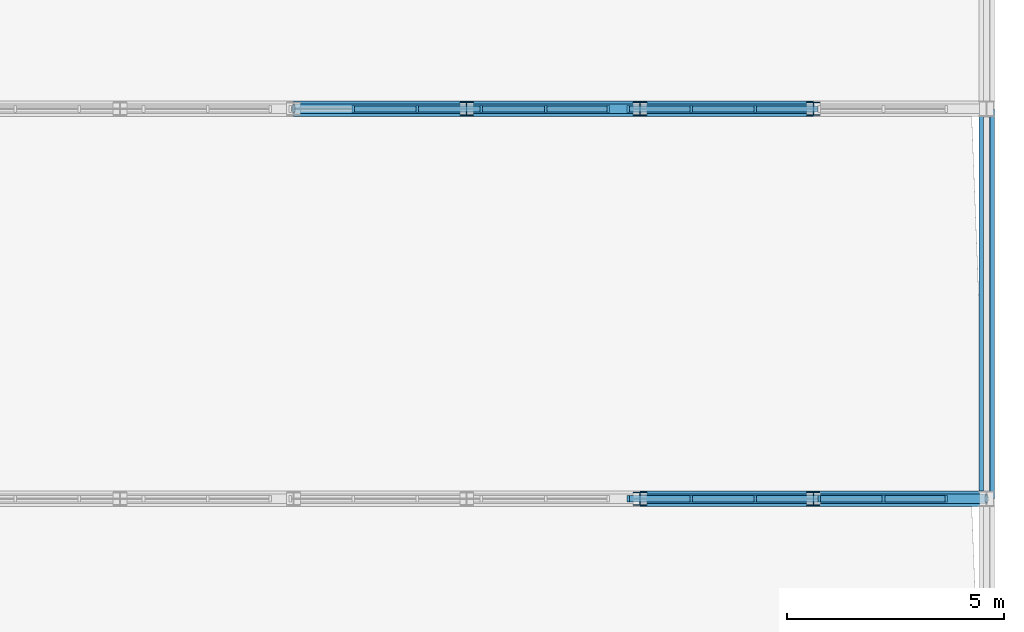
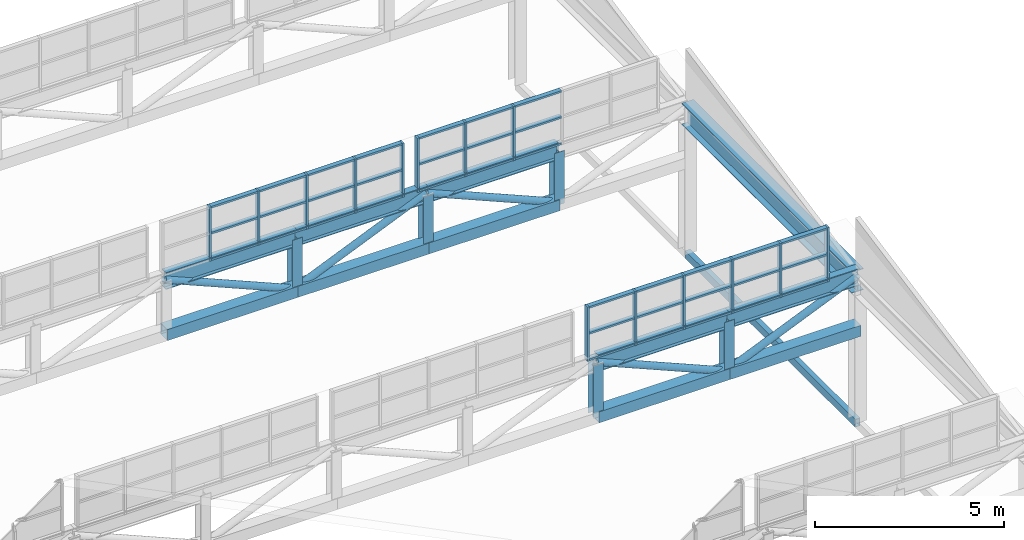
# One storey, part 91 of 159: 70 members, 2 beams, 3 elements without a shape of their own.
"""IFC4 building model written with IfcOpenShell, lengths in metres."""

from ifc_helpers import new_model, si_unit, direction, frame, origin, origin_2d, place, context, subcontext, project, spatial, rectangle, hollow_rectangle, hollow_circle, i_section, extrude, material, layer, layer_set, material_profile, profile_set, type_object, element, aggregate, save


model = new_model("IFC4")

# Units and contexts
model_context = context("Model", 3, precision=1e-05, world=origin(), true_north=direction((0.0, 1.0)))
body_context = subcontext(model_context, "Body", "Model", "MODEL_VIEW")
ifc_project = project(units=[si_unit("LENGTHUNIT", "METRE"), si_unit("AREAUNIT", "SQUARE_METRE"), si_unit("VOLUMEUNIT", "CUBIC_METRE"), si_unit("PLANEANGLEUNIT", "RADIAN"), si_unit("MASSUNIT", "GRAM", prefix="KILO")], contexts=[model_context])

# Site, building, storey
site_placement = place(None, origin())
site = spatial("IfcSite", under=ifc_project, at=site_placement, CompositionType="ELEMENT")
building_placement = place(site_placement, origin())
building = spatial("IfcBuilding", under=site, at=building_placement, Name="Cazmaro Siding Exhibition Halls", CompositionType="ELEMENT")
storey_placement = place(building_placement, frame((0.0, 0.0, 6.0)))
storey = spatial("IfcBuildingStorey", under=building, at=storey_placement, Name="L01", CompositionType="ELEMENT", Elevation=6.0)

# Curtain wall, members
ifc_material_1 = material(Name="Anodized Bronze Aluminum and Solar-Control Low-E Glazing", Category="aluminium")
ifc_layer = layer(ifc_material_1, 0.159912109375)
ifc_layer_set = layer_set([ifc_layer], Name="Anodized Bronze Aluminum and Solar-Control Low-E Glazing")
curtain_wall_type = type_object("IfcCurtainWallType", Name="CWS-04", PredefinedType="USERDEFINED", material=ifc_layer_set)
curtain_wall_1_placement = place(storey_placement, origin())
curtain_wall_1 = element("IfcCurtainWall", 1, at=curtain_wall_1_placement, inside=storey, type_object=curtain_wall_type, Name="Clerestory Curtain Wall CWS-04 CW-129", ObjectType="CLERESTORY CURTAIN WALL", PredefinedType="USERDEFINED")
ifc_material_2 = material(Name="Anodized Bronze Extruded Aluminum", Category="aluminium")
ifc_material_profile_1 = material_profile(ifc_material_2, rectangle(XDim=0.159912109375, YDim=0.06005859375, at=origin_2d()), Name="CWM-04")
ifc_profile_set_1 = profile_set([ifc_material_profile_1], Name="Anodized Bronze Extruded Aluminum")
member_type_1 = type_object("IfcMemberType", Name="CWM-04", PredefinedType="MULLION", material=ifc_profile_set_1)
member_1_placement = place(storey_placement, frame((215.070068359375, 100.0, 4.800048828125), z_axis=(0.0, 0.0, 1.0), x_axis=(0.0, -1.0, 0.0)))
member_1 = element("IfcMember", 2, at=member_1_placement, type_object=member_type_1, Name="CWS-04 mullion 1", PredefinedType="MULLION", context=body_context, shape_type="SweptSolid", body=[
    extrude(rectangle(XDim=0.159912109375, YDim=0.06005859375, at=origin_2d()), origin(), (0.0, 0.0, 1.0), 1.75),
])
member_2_placement = place(storey_placement, frame((213.6201171875, 100.0, 4.800048828125), z_axis=(0.0, 0.0, 1.0), x_axis=(0.0, -1.0, 0.0)))
member_2 = element("IfcMember", 3, at=member_2_placement, type_object=member_type_1, Name="CWS-04 mullion 2", PredefinedType="MULLION", context=body_context, shape_type="SweptSolid", body=[
    extrude(rectangle(XDim=0.159912109375, YDim=0.06005859375, at=origin_2d()), origin(), (0.0, 0.0, 1.0), 1.75),
])
member_3_placement = place(storey_placement, frame((212.139892578125, 100.0, 4.800048828125), z_axis=(0.0, 0.0, 1.0), x_axis=(0.0, -1.0, 0.0)))
member_3 = element("IfcMember", 4, at=member_3_placement, type_object=member_type_1, Name="CWS-04 mullion 3", PredefinedType="MULLION", context=body_context, shape_type="SweptSolid", body=[
    extrude(rectangle(XDim=0.159912109375, YDim=0.06005859375, at=origin_2d()), origin(), (0.0, 0.0, 1.0), 1.75),
])
member_4_placement = place(storey_placement, frame((210.659912109375, 100.0, 4.800048828125), z_axis=(0.0, 0.0, 1.0), x_axis=(0.0, -1.0, 0.0)))
member_4 = element("IfcMember", 5, at=member_4_placement, type_object=member_type_1, Name="CWS-04 mullion 4", PredefinedType="MULLION", context=body_context, shape_type="SweptSolid", body=[
    extrude(rectangle(XDim=0.159912109375, YDim=0.06005859375, at=origin_2d()), origin(), (0.0, 0.0, 1.0), 1.75),
])
member_5_placement = place(storey_placement, frame((209.179931640625, 100.0, 4.800048828125), z_axis=(0.0, 0.0, 1.0), x_axis=(0.0, -1.0, 0.0)))
member_5 = element("IfcMember", 6, at=member_5_placement, type_object=member_type_1, Name="CWS-04 mullion 5", PredefinedType="MULLION", context=body_context, shape_type="SweptSolid", body=[
    extrude(rectangle(XDim=0.159912109375, YDim=0.06005859375, at=origin_2d()), origin(), (0.0, 0.0, 1.0), 1.75),
])
member_6_placement = place(storey_placement, frame((207.72998046875, 100.0, 4.800048828125), z_axis=(0.0, 0.0, 1.0), x_axis=(0.0, -1.0, 0.0)))
member_6 = element("IfcMember", 7, at=member_6_placement, type_object=member_type_1, Name="CWS-04 mullion 6", PredefinedType="MULLION", context=body_context, shape_type="SweptSolid", body=[
    extrude(rectangle(XDim=0.159912109375, YDim=0.06005859375, at=origin_2d()), origin(), (0.0, 0.0, 1.0), 1.75),
])

curtain_wall_2_placement = place(storey_placement, origin())
curtain_wall_2 = element("IfcCurtainWall", 8, at=curtain_wall_2_placement, inside=storey, type_object=curtain_wall_type, Name="Clerestory Curtain Wall CWS-04 CW-133", ObjectType="CLERESTORY CURTAIN WALL", PredefinedType="USERDEFINED")
member_7_placement = place(storey_placement, frame((207.27001953125, 109.0, 4.800048828125), z_axis=(0.0, 0.0, 1.0), x_axis=(0.0, -1.0, 0.0)))
member_7 = element("IfcMember", 9, at=member_7_placement, type_object=member_type_1, Name="CWS-04 mullion 1", PredefinedType="MULLION", context=body_context, shape_type="SweptSolid", body=[
    extrude(rectangle(XDim=0.159912109375, YDim=0.06005859375, at=origin_2d()), origin(), (0.0, 0.0, 1.0), 1.75),
])
member_8_placement = place(storey_placement, frame((205.820068359375, 109.0, 4.800048828125), z_axis=(0.0, 0.0, 1.0), x_axis=(0.0, -1.0, 0.0)))
member_8 = element("IfcMember", 10, at=member_8_placement, type_object=member_type_1, Name="CWS-04 mullion 2", PredefinedType="MULLION", context=body_context, shape_type="SweptSolid", body=[
    extrude(rectangle(XDim=0.159912109375, YDim=0.06005859375, at=origin_2d()), origin(), (0.0, 0.0, 1.0), 1.75),
])
member_9_placement = place(storey_placement, frame((204.340087890625, 109.0, 4.800048828125), z_axis=(0.0, 0.0, 1.0), x_axis=(0.0, -1.0, 0.0)))
member_9 = element("IfcMember", 11, at=member_9_placement, type_object=member_type_1, Name="CWS-04 mullion 3", PredefinedType="MULLION", context=body_context, shape_type="SweptSolid", body=[
    extrude(rectangle(XDim=0.159912109375, YDim=0.06005859375, at=origin_2d()), origin(), (0.0, 0.0, 1.0), 1.75),
])
member_10_placement = place(storey_placement, frame((202.860107421875, 109.0, 4.800048828125), z_axis=(0.0, 0.0, 1.0), x_axis=(0.0, -1.0, 0.0)))
member_10 = element("IfcMember", 12, at=member_10_placement, type_object=member_type_1, Name="CWS-04 mullion 4", PredefinedType="MULLION", context=body_context, shape_type="SweptSolid", body=[
    extrude(rectangle(XDim=0.159912109375, YDim=0.06005859375, at=origin_2d()), origin(), (0.0, 0.0, 1.0), 1.75),
])
member_11_placement = place(storey_placement, frame((201.3798828125, 109.0, 4.800048828125), z_axis=(0.0, 0.0, 1.0), x_axis=(0.0, -1.0, 0.0)))
member_11 = element("IfcMember", 13, at=member_11_placement, type_object=member_type_1, Name="CWS-04 mullion 5", PredefinedType="MULLION", context=body_context, shape_type="SweptSolid", body=[
    extrude(rectangle(XDim=0.159912109375, YDim=0.06005859375, at=origin_2d()), origin(), (0.0, 0.0, 1.0), 1.75),
])

curtain_wall_3_placement = place(storey_placement, origin())
curtain_wall_3 = element("IfcCurtainWall", 14, at=curtain_wall_3_placement, inside=storey, type_object=curtain_wall_type, Name="Clerestory Curtain Wall CWS-04 CW-134", ObjectType="CLERESTORY CURTAIN WALL", PredefinedType="USERDEFINED")
member_12_placement = place(storey_placement, frame((210.659912109375, 109.0, 4.800048828125), z_axis=(0.0, 0.0, 1.0), x_axis=(0.0, -1.0, 0.0)))
member_12 = element("IfcMember", 15, at=member_12_placement, type_object=member_type_1, Name="CWS-04 mullion 4", PredefinedType="MULLION", context=body_context, shape_type="SweptSolid", body=[
    extrude(rectangle(XDim=0.159912109375, YDim=0.06005859375, at=origin_2d()), origin(), (0.0, 0.0, 1.0), 1.75),
])
member_13_placement = place(storey_placement, frame((209.179931640625, 109.0, 4.800048828125), z_axis=(0.0, 0.0, 1.0), x_axis=(0.0, -1.0, 0.0)))
member_13 = element("IfcMember", 16, at=member_13_placement, type_object=member_type_1, Name="CWS-04 mullion 5", PredefinedType="MULLION", context=body_context, shape_type="SweptSolid", body=[
    extrude(rectangle(XDim=0.159912109375, YDim=0.06005859375, at=origin_2d()), origin(), (0.0, 0.0, 1.0), 1.75),
])
member_14_placement = place(storey_placement, frame((207.72998046875, 109.0, 4.800048828125), z_axis=(0.0, 0.0, 1.0), x_axis=(0.0, -1.0, 0.0)))
member_14 = element("IfcMember", 17, at=member_14_placement, type_object=member_type_1, Name="CWS-04 mullion 6", PredefinedType="MULLION", context=body_context, shape_type="SweptSolid", body=[
    extrude(rectangle(XDim=0.159912109375, YDim=0.06005859375, at=origin_2d()), origin(), (0.0, 0.0, 1.0), 1.75),
])

# Member
ifc_material_3 = material(Name="Anodized Bronze Extruded Aluminum", Category="aluminium")
ifc_material_profile_2 = material_profile(ifc_material_3, rectangle(XDim=0.139892578125, YDim=0.06005859375, at=origin_2d()), Name="CWT-04")
ifc_profile_set_2 = profile_set([ifc_material_profile_2], Name="Anodized Bronze Extruded Aluminum")
member_type_2 = type_object("IfcMemberType", Name="CWT-04", PredefinedType="MULLION", material=ifc_profile_set_2)
member_15_placement = place(storey_placement, frame((215.0400390625, 100.0, 4.830078125), z_axis=(-1.0, 0.0, 0.0), x_axis=(0.0, -1.0, 0.0)))
member_15 = element("IfcMember", 18, at=member_15_placement, type_object=member_type_2, Name="CWS-04 transom 1.1", ObjectType="TRANSOM", PredefinedType="USERDEFINED", context=body_context, shape_type="SweptSolid", body=[
    extrude(rectangle(XDim=0.139892578125, YDim=0.06005859375, at=origin_2d()), origin(), (0.0, 0.0, 1.0), 1.39013671875),
])

member_16_placement = place(storey_placement, frame((215.0400390625, 100.0, 5.679931640625), z_axis=(-1.0, 0.0, 0.0), x_axis=(0.0, -1.0, 0.0)))
member_16 = element("IfcMember", 19, at=member_16_placement, type_object=member_type_2, Name="CWS-04 transom 1.2", ObjectType="TRANSOM", PredefinedType="USERDEFINED", context=body_context, shape_type="SweptSolid", body=[
    extrude(rectangle(XDim=0.139892578125, YDim=0.06005859375, at=origin_2d()), origin(), (0.0, 0.0, 1.0), 1.39013671875),
])

member_17_placement = place(storey_placement, frame((215.0400390625, 100.0, 6.52001953125), z_axis=(-1.0, 0.0, 0.0), x_axis=(0.0, -1.0, 0.0)))
member_17 = element("IfcMember", 20, at=member_17_placement, type_object=member_type_2, Name="CWS-04 transom 1.3", ObjectType="TRANSOM", PredefinedType="USERDEFINED", context=body_context, shape_type="SweptSolid", body=[
    extrude(rectangle(XDim=0.139892578125, YDim=0.06005859375, at=origin_2d()), origin(), (0.0, 0.0, 1.0), 1.39013671875),
])

member_18_placement = place(storey_placement, frame((213.590087890625, 100.0, 4.830078125), z_axis=(-1.0, 0.0, 0.0), x_axis=(0.0, -1.0, 0.0)))
member_18 = element("IfcMember", 21, at=member_18_placement, type_object=member_type_2, Name="CWS-04 transom 2.1", ObjectType="TRANSOM", PredefinedType="USERDEFINED", context=body_context, shape_type="SweptSolid", body=[
    extrude(rectangle(XDim=0.139892578125, YDim=0.06005859375, at=origin_2d()), origin(), (0.0, 0.0, 1.0), 1.420166015625),
])

member_19_placement = place(storey_placement, frame((213.590087890625, 100.0, 5.679931640625), z_axis=(-1.0, 0.0, 0.0), x_axis=(0.0, -1.0, 0.0)))
member_19 = element("IfcMember", 22, at=member_19_placement, type_object=member_type_2, Name="CWS-04 transom 2.2", ObjectType="TRANSOM", PredefinedType="USERDEFINED", context=body_context, shape_type="SweptSolid", body=[
    extrude(rectangle(XDim=0.139892578125, YDim=0.06005859375, at=origin_2d()), origin(), (0.0, 0.0, 1.0), 1.420166015625),
])

member_20_placement = place(storey_placement, frame((213.590087890625, 100.0, 6.52001953125), z_axis=(-1.0, 0.0, 0.0), x_axis=(0.0, -1.0, 0.0)))
member_20 = element("IfcMember", 23, at=member_20_placement, type_object=member_type_2, Name="CWS-04 transom 2.3", ObjectType="TRANSOM", PredefinedType="USERDEFINED", context=body_context, shape_type="SweptSolid", body=[
    extrude(rectangle(XDim=0.139892578125, YDim=0.06005859375, at=origin_2d()), origin(), (0.0, 0.0, 1.0), 1.420166015625),
])

member_21_placement = place(storey_placement, frame((212.110107421875, 100.0, 4.830078125), z_axis=(-1.0, 0.0, 0.0), x_axis=(0.0, -1.0, 0.0)))
member_21 = element("IfcMember", 24, at=member_21_placement, type_object=member_type_2, Name="CWS-04 transom 3.1", ObjectType="TRANSOM", PredefinedType="USERDEFINED", context=body_context, shape_type="SweptSolid", body=[
    extrude(rectangle(XDim=0.139892578125, YDim=0.06005859375, at=origin_2d()), origin(), (0.0, 0.0, 1.0), 1.420166015625),
])

member_22_placement = place(storey_placement, frame((212.110107421875, 100.0, 5.679931640625), z_axis=(-1.0, 0.0, 0.0), x_axis=(0.0, -1.0, 0.0)))
member_22 = element("IfcMember", 25, at=member_22_placement, type_object=member_type_2, Name="CWS-04 transom 3.2", ObjectType="TRANSOM", PredefinedType="USERDEFINED", context=body_context, shape_type="SweptSolid", body=[
    extrude(rectangle(XDim=0.139892578125, YDim=0.06005859375, at=origin_2d()), origin(), (0.0, 0.0, 1.0), 1.420166015625),
])

member_23_placement = place(storey_placement, frame((212.110107421875, 100.0, 6.52001953125), z_axis=(-1.0, 0.0, 0.0), x_axis=(0.0, -1.0, 0.0)))
member_23 = element("IfcMember", 26, at=member_23_placement, type_object=member_type_2, Name="CWS-04 transom 3.3", ObjectType="TRANSOM", PredefinedType="USERDEFINED", context=body_context, shape_type="SweptSolid", body=[
    extrude(rectangle(XDim=0.139892578125, YDim=0.06005859375, at=origin_2d()), origin(), (0.0, 0.0, 1.0), 1.420166015625),
])

member_24_placement = place(storey_placement, frame((210.6298828125, 100.0, 4.830078125), z_axis=(-1.0, 0.0, 0.0), x_axis=(0.0, -1.0, 0.0)))
member_24 = element("IfcMember", 27, at=member_24_placement, type_object=member_type_2, Name="CWS-04 transom 4.1", ObjectType="TRANSOM", PredefinedType="USERDEFINED", context=body_context, shape_type="SweptSolid", body=[
    extrude(rectangle(XDim=0.139892578125, YDim=0.06005859375, at=origin_2d()), origin(), (0.0, 0.0, 1.0), 1.419921875),
])

member_25_placement = place(storey_placement, frame((210.6298828125, 100.0, 5.679931640625), z_axis=(-1.0, 0.0, 0.0), x_axis=(0.0, -1.0, 0.0)))
member_25 = element("IfcMember", 28, at=member_25_placement, type_object=member_type_2, Name="CWS-04 transom 4.2", ObjectType="TRANSOM", PredefinedType="USERDEFINED", context=body_context, shape_type="SweptSolid", body=[
    extrude(rectangle(XDim=0.139892578125, YDim=0.06005859375, at=origin_2d()), origin(), (0.0, 0.0, 1.0), 1.419921875),
])

member_26_placement = place(storey_placement, frame((210.6298828125, 100.0, 6.52001953125), z_axis=(-1.0, 0.0, 0.0), x_axis=(0.0, -1.0, 0.0)))
member_26 = element("IfcMember", 29, at=member_26_placement, type_object=member_type_2, Name="CWS-04 transom 4.3", ObjectType="TRANSOM", PredefinedType="USERDEFINED", context=body_context, shape_type="SweptSolid", body=[
    extrude(rectangle(XDim=0.139892578125, YDim=0.06005859375, at=origin_2d()), origin(), (0.0, 0.0, 1.0), 1.419921875),
])

member_27_placement = place(storey_placement, frame((209.14990234375, 100.0, 4.830078125), z_axis=(-1.0, 0.0, 0.0), x_axis=(0.0, -1.0, 0.0)))
member_27 = element("IfcMember", 30, at=member_27_placement, type_object=member_type_2, Name="CWS-04 transom 5.1", ObjectType="TRANSOM", PredefinedType="USERDEFINED", context=body_context, shape_type="SweptSolid", body=[
    extrude(rectangle(XDim=0.139892578125, YDim=0.06005859375, at=origin_2d()), origin(), (0.0, 0.0, 1.0), 1.389892578125),
])

member_28_placement = place(storey_placement, frame((209.14990234375, 100.0, 5.679931640625), z_axis=(-1.0, 0.0, 0.0), x_axis=(0.0, -1.0, 0.0)))
member_28 = element("IfcMember", 31, at=member_28_placement, type_object=member_type_2, Name="CWS-04 transom 5.2", ObjectType="TRANSOM", PredefinedType="USERDEFINED", context=body_context, shape_type="SweptSolid", body=[
    extrude(rectangle(XDim=0.139892578125, YDim=0.06005859375, at=origin_2d()), origin(), (0.0, 0.0, 1.0), 1.389892578125),
])

member_29_placement = place(storey_placement, frame((209.14990234375, 100.0, 6.52001953125), z_axis=(-1.0, 0.0, 0.0), x_axis=(0.0, -1.0, 0.0)))
member_29 = element("IfcMember", 32, at=member_29_placement, type_object=member_type_2, Name="CWS-04 transom 5.3", ObjectType="TRANSOM", PredefinedType="USERDEFINED", context=body_context, shape_type="SweptSolid", body=[
    extrude(rectangle(XDim=0.139892578125, YDim=0.06005859375, at=origin_2d()), origin(), (0.0, 0.0, 1.0), 1.389892578125),
])

aggregate(curtain_wall_1, [member_1, member_2, member_3, member_4, member_5, member_6, member_15, member_16, member_17, member_18, member_19, member_20, member_21, member_22, member_23, member_24, member_25, member_26, member_27, member_28, member_29])

member_30_placement = place(storey_placement, frame((207.239990234375, 109.0, 4.830078125), z_axis=(-1.0, 0.0, 0.0), x_axis=(0.0, -1.0, 0.0)))
member_30 = element("IfcMember", 33, at=member_30_placement, type_object=member_type_2, Name="CWS-04 transom 1.1", ObjectType="TRANSOM", PredefinedType="USERDEFINED", context=body_context, shape_type="SweptSolid", body=[
    extrude(rectangle(XDim=0.139892578125, YDim=0.06005859375, at=origin_2d()), origin(), (0.0, 0.0, 1.0), 1.389892578125),
])

member_31_placement = place(storey_placement, frame((207.239990234375, 109.0, 5.679931640625), z_axis=(-1.0, 0.0, 0.0), x_axis=(0.0, -1.0, 0.0)))
member_31 = element("IfcMember", 34, at=member_31_placement, type_object=member_type_2, Name="CWS-04 transom 1.2", ObjectType="TRANSOM", PredefinedType="USERDEFINED", context=body_context, shape_type="SweptSolid", body=[
    extrude(rectangle(XDim=0.139892578125, YDim=0.06005859375, at=origin_2d()), origin(), (0.0, 0.0, 1.0), 1.389892578125),
])

member_32_placement = place(storey_placement, frame((207.239990234375, 109.0, 6.52001953125), z_axis=(-1.0, 0.0, 0.0), x_axis=(0.0, -1.0, 0.0)))
member_32 = element("IfcMember", 35, at=member_32_placement, type_object=member_type_2, Name="CWS-04 transom 1.3", ObjectType="TRANSOM", PredefinedType="USERDEFINED", context=body_context, shape_type="SweptSolid", body=[
    extrude(rectangle(XDim=0.139892578125, YDim=0.06005859375, at=origin_2d()), origin(), (0.0, 0.0, 1.0), 1.389892578125),
])

member_33_placement = place(storey_placement, frame((205.7900390625, 109.0, 4.830078125), z_axis=(-1.0, 0.0, 0.0), x_axis=(0.0, -1.0, 0.0)))
member_33 = element("IfcMember", 36, at=member_33_placement, type_object=member_type_2, Name="CWS-04 transom 2.1", ObjectType="TRANSOM", PredefinedType="USERDEFINED", context=body_context, shape_type="SweptSolid", body=[
    extrude(rectangle(XDim=0.139892578125, YDim=0.06005859375, at=origin_2d()), origin(), (0.0, 0.0, 1.0), 1.419921875),
])

member_34_placement = place(storey_placement, frame((205.7900390625, 109.0, 5.679931640625), z_axis=(-1.0, 0.0, 0.0), x_axis=(0.0, -1.0, 0.0)))
member_34 = element("IfcMember", 37, at=member_34_placement, type_object=member_type_2, Name="CWS-04 transom 2.2", ObjectType="TRANSOM", PredefinedType="USERDEFINED", context=body_context, shape_type="SweptSolid", body=[
    extrude(rectangle(XDim=0.139892578125, YDim=0.06005859375, at=origin_2d()), origin(), (0.0, 0.0, 1.0), 1.419921875),
])

member_35_placement = place(storey_placement, frame((205.7900390625, 109.0, 6.52001953125), z_axis=(-1.0, 0.0, 0.0), x_axis=(0.0, -1.0, 0.0)))
member_35 = element("IfcMember", 38, at=member_35_placement, type_object=member_type_2, Name="CWS-04 transom 2.3", ObjectType="TRANSOM", PredefinedType="USERDEFINED", context=body_context, shape_type="SweptSolid", body=[
    extrude(rectangle(XDim=0.139892578125, YDim=0.06005859375, at=origin_2d()), origin(), (0.0, 0.0, 1.0), 1.419921875),
])

member_36_placement = place(storey_placement, frame((204.31005859375, 109.0, 4.830078125), z_axis=(-1.0, 0.0, 0.0), x_axis=(0.0, -1.0, 0.0)))
member_36 = element("IfcMember", 39, at=member_36_placement, type_object=member_type_2, Name="CWS-04 transom 3.1", ObjectType="TRANSOM", PredefinedType="USERDEFINED", context=body_context, shape_type="SweptSolid", body=[
    extrude(rectangle(XDim=0.139892578125, YDim=0.06005859375, at=origin_2d()), origin(), (0.0, 0.0, 1.0), 1.420166015625),
])

member_37_placement = place(storey_placement, frame((204.31005859375, 109.0, 5.679931640625), z_axis=(-1.0, 0.0, 0.0), x_axis=(0.0, -1.0, 0.0)))
member_37 = element("IfcMember", 40, at=member_37_placement, type_object=member_type_2, Name="CWS-04 transom 3.2", ObjectType="TRANSOM", PredefinedType="USERDEFINED", context=body_context, shape_type="SweptSolid", body=[
    extrude(rectangle(XDim=0.139892578125, YDim=0.06005859375, at=origin_2d()), origin(), (0.0, 0.0, 1.0), 1.420166015625),
])

member_38_placement = place(storey_placement, frame((204.31005859375, 109.0, 6.52001953125), z_axis=(-1.0, 0.0, 0.0), x_axis=(0.0, -1.0, 0.0)))
member_38 = element("IfcMember", 41, at=member_38_placement, type_object=member_type_2, Name="CWS-04 transom 3.3", ObjectType="TRANSOM", PredefinedType="USERDEFINED", context=body_context, shape_type="SweptSolid", body=[
    extrude(rectangle(XDim=0.139892578125, YDim=0.06005859375, at=origin_2d()), origin(), (0.0, 0.0, 1.0), 1.420166015625),
])

member_39_placement = place(storey_placement, frame((202.830078125, 109.0, 4.830078125), z_axis=(-1.0, 0.0, 0.0), x_axis=(0.0, -1.0, 0.0)))
member_39 = element("IfcMember", 42, at=member_39_placement, type_object=member_type_2, Name="CWS-04 transom 4.1", ObjectType="TRANSOM", PredefinedType="USERDEFINED", context=body_context, shape_type="SweptSolid", body=[
    extrude(rectangle(XDim=0.139892578125, YDim=0.06005859375, at=origin_2d()), origin(), (0.0, 0.0, 1.0), 1.420166015625),
])

member_40_placement = place(storey_placement, frame((202.830078125, 109.0, 5.679931640625), z_axis=(-1.0, 0.0, 0.0), x_axis=(0.0, -1.0, 0.0)))
member_40 = element("IfcMember", 43, at=member_40_placement, type_object=member_type_2, Name="CWS-04 transom 4.2", ObjectType="TRANSOM", PredefinedType="USERDEFINED", context=body_context, shape_type="SweptSolid", body=[
    extrude(rectangle(XDim=0.139892578125, YDim=0.06005859375, at=origin_2d()), origin(), (0.0, 0.0, 1.0), 1.420166015625),
])

member_41_placement = place(storey_placement, frame((202.830078125, 109.0, 6.52001953125), z_axis=(-1.0, 0.0, 0.0), x_axis=(0.0, -1.0, 0.0)))
member_41 = element("IfcMember", 44, at=member_41_placement, type_object=member_type_2, Name="CWS-04 transom 4.3", ObjectType="TRANSOM", PredefinedType="USERDEFINED", context=body_context, shape_type="SweptSolid", body=[
    extrude(rectangle(XDim=0.139892578125, YDim=0.06005859375, at=origin_2d()), origin(), (0.0, 0.0, 1.0), 1.420166015625),
])

aggregate(curtain_wall_2, [member_7, member_8, member_9, member_10, member_11, member_30, member_31, member_32, member_33, member_34, member_35, member_36, member_37, member_38, member_39, member_40, member_41])

member_42_placement = place(storey_placement, frame((212.110107421875, 109.0, 4.830078125), z_axis=(-1.0, 0.0, 0.0), x_axis=(0.0, -1.0, 0.0)))
member_42 = element("IfcMember", 45, at=member_42_placement, type_object=member_type_2, Name="CWS-04 transom 3.1", ObjectType="TRANSOM", PredefinedType="USERDEFINED", context=body_context, shape_type="SweptSolid", body=[
    extrude(rectangle(XDim=0.139892578125, YDim=0.06005859375, at=origin_2d()), origin(), (0.0, 0.0, 1.0), 1.420166015625),
])

member_43_placement = place(storey_placement, frame((212.110107421875, 109.0, 5.679931640625), z_axis=(-1.0, 0.0, 0.0), x_axis=(0.0, -1.0, 0.0)))
member_43 = element("IfcMember", 46, at=member_43_placement, type_object=member_type_2, Name="CWS-04 transom 3.2", ObjectType="TRANSOM", PredefinedType="USERDEFINED", context=body_context, shape_type="SweptSolid", body=[
    extrude(rectangle(XDim=0.139892578125, YDim=0.06005859375, at=origin_2d()), origin(), (0.0, 0.0, 1.0), 1.420166015625),
])

member_44_placement = place(storey_placement, frame((212.110107421875, 109.0, 6.52001953125), z_axis=(-1.0, 0.0, 0.0), x_axis=(0.0, -1.0, 0.0)))
member_44 = element("IfcMember", 47, at=member_44_placement, type_object=member_type_2, Name="CWS-04 transom 3.3", ObjectType="TRANSOM", PredefinedType="USERDEFINED", context=body_context, shape_type="SweptSolid", body=[
    extrude(rectangle(XDim=0.139892578125, YDim=0.06005859375, at=origin_2d()), origin(), (0.0, 0.0, 1.0), 1.420166015625),
])

member_45_placement = place(storey_placement, frame((210.6298828125, 109.0, 4.830078125), z_axis=(-1.0, 0.0, 0.0), x_axis=(0.0, -1.0, 0.0)))
member_45 = element("IfcMember", 48, at=member_45_placement, type_object=member_type_2, Name="CWS-04 transom 4.1", ObjectType="TRANSOM", PredefinedType="USERDEFINED", context=body_context, shape_type="SweptSolid", body=[
    extrude(rectangle(XDim=0.139892578125, YDim=0.06005859375, at=origin_2d()), origin(), (0.0, 0.0, 1.0), 1.419921875),
])

member_46_placement = place(storey_placement, frame((210.6298828125, 109.0, 5.679931640625), z_axis=(-1.0, 0.0, 0.0), x_axis=(0.0, -1.0, 0.0)))
member_46 = element("IfcMember", 49, at=member_46_placement, type_object=member_type_2, Name="CWS-04 transom 4.2", ObjectType="TRANSOM", PredefinedType="USERDEFINED", context=body_context, shape_type="SweptSolid", body=[
    extrude(rectangle(XDim=0.139892578125, YDim=0.06005859375, at=origin_2d()), origin(), (0.0, 0.0, 1.0), 1.419921875),
])

member_47_placement = place(storey_placement, frame((210.6298828125, 109.0, 6.52001953125), z_axis=(-1.0, 0.0, 0.0), x_axis=(0.0, -1.0, 0.0)))
member_47 = element("IfcMember", 50, at=member_47_placement, type_object=member_type_2, Name="CWS-04 transom 4.3", ObjectType="TRANSOM", PredefinedType="USERDEFINED", context=body_context, shape_type="SweptSolid", body=[
    extrude(rectangle(XDim=0.139892578125, YDim=0.06005859375, at=origin_2d()), origin(), (0.0, 0.0, 1.0), 1.419921875),
])

member_48_placement = place(storey_placement, frame((209.14990234375, 109.0, 4.830078125), z_axis=(-1.0, 0.0, 0.0), x_axis=(0.0, -1.0, 0.0)))
member_48 = element("IfcMember", 51, at=member_48_placement, type_object=member_type_2, Name="CWS-04 transom 5.1", ObjectType="TRANSOM", PredefinedType="USERDEFINED", context=body_context, shape_type="SweptSolid", body=[
    extrude(rectangle(XDim=0.139892578125, YDim=0.06005859375, at=origin_2d()), origin(), (0.0, 0.0, 1.0), 1.389892578125),
])

member_49_placement = place(storey_placement, frame((209.14990234375, 109.0, 5.679931640625), z_axis=(-1.0, 0.0, 0.0), x_axis=(0.0, -1.0, 0.0)))
member_49 = element("IfcMember", 52, at=member_49_placement, type_object=member_type_2, Name="CWS-04 transom 5.2", ObjectType="TRANSOM", PredefinedType="USERDEFINED", context=body_context, shape_type="SweptSolid", body=[
    extrude(rectangle(XDim=0.139892578125, YDim=0.06005859375, at=origin_2d()), origin(), (0.0, 0.0, 1.0), 1.389892578125),
])

member_50_placement = place(storey_placement, frame((209.14990234375, 109.0, 6.52001953125), z_axis=(-1.0, 0.0, 0.0), x_axis=(0.0, -1.0, 0.0)))
member_50 = element("IfcMember", 53, at=member_50_placement, type_object=member_type_2, Name="CWS-04 transom 5.3", ObjectType="TRANSOM", PredefinedType="USERDEFINED", context=body_context, shape_type="SweptSolid", body=[
    extrude(rectangle(XDim=0.139892578125, YDim=0.06005859375, at=origin_2d()), origin(), (0.0, 0.0, 1.0), 1.389892578125),
])

aggregate(curtain_wall_3, [member_12, member_13, member_14, member_42, member_43, member_44, member_45, member_46, member_47, member_48, member_49, member_50])

# Beams
ifc_material_4 = material(Name="Steel ASTM A992 Grade 50", Category="steel")
ifc_material_profile_3 = material_profile(ifc_material_4, i_section(OverallWidth=0.35595703125, OverallDepth=0.696044921875, WebThickness=0.014892578125, FlangeThickness=0.02490234375, at=origin_2d()), Name="W27X146")
ifc_profile_set_3 = profile_set([ifc_material_profile_3], Name="Steel ASTM A992 Grade 50")
beam_type_1 = type_object("IfcBeamType", Name="G-05", PredefinedType="USERDEFINED", material=ifc_profile_set_3)
beam_1_placement = place(storey_placement, frame((216.0, 100.0, 4.451904296875), z_axis=(0.0, 1.0, 0.0), x_axis=(-1.0, 0.0, 0.0)))
element("IfcBeam", 54, at=beam_1_placement, inside=storey, type_object=beam_type_1, Name="Beam G-05 BM-1562", ObjectType="GIRDER", PredefinedType="USERDEFINED", context=body_context, shape_type="SweptSolid", body=[
    extrude(i_section(OverallWidth=0.35595703125, OverallDepth=0.696044921875, WebThickness=0.014892578125, FlangeThickness=0.02490234375, at=origin_2d()), origin(), (0.0, 0.0, 1.0), 9.0),
])
ifc_material_5 = material(Name="Steel ASTM A500 Grade C", Category="steel")
ifc_material_profile_4 = material_profile(ifc_material_5, hollow_rectangle(XDim=0.152099609375, YDim=0.25390625, WallThickness=0.011962890625, at=origin_2d()), Name="HSS10X6X1/2")
ifc_profile_set_4 = profile_set([ifc_material_profile_4], Name="Steel ASTM A500 Grade C")
beam_type_2 = type_object("IfcBeamType", Name="SP-02", PredefinedType="SPANDREL", material=ifc_profile_set_4)
beam_2_placement = place(storey_placement, frame((216.0, 100.0, -0.126953125), z_axis=(0.0, 1.0, 0.0), x_axis=(-1.0, 0.0, 0.0)))
element("IfcBeam", 55, at=beam_2_placement, inside=storey, type_object=beam_type_2, Name="Beam SP-02 BM-1561", PredefinedType="SPANDREL", context=body_context, shape_type="SweptSolid", body=[
    extrude(hollow_rectangle(XDim=0.152099609375, YDim=0.25390625, WallThickness=0.011962890625, at=origin_2d()), origin(), (0.0, 0.0, 1.0), 9.0),
])

# Members
ifc_material_6 = material(Name="Steel ASTM A992 Grade 50", Category="steel")
ifc_material_profile_5 = material_profile(ifc_material_6, i_section(OverallWidth=0.214111328125, OverallDepth=0.549072265625, WebThickness=0.014892578125, FlangeThickness=0.02392578125, at=origin_2d()), Name="W21X93")
ifc_profile_set_5 = profile_set([ifc_material_profile_5], Name="Steel ASTM A992 Grade 50")
member_type_3 = type_object("IfcMemberType", Name="TC-04", PredefinedType="CHORD", material=ifc_profile_set_5)
for number, where, z_axis, x_axis, name in (
    (56, (208.0, 100.0, 4.64990234375), (1.0, 0.0, 0.0), (0.0, 1.0, 0.0), "Sawtooth truss top chord TC-04 MEM-3151"),
    (57, (212.0, 100.0, 4.64990234375), (1.0, 0.0, 0.0), (0.0, 1.0, 0.0), "Sawtooth truss top chord TC-04 MEM-3154"),
    (58, (200.0, 109.0, 4.64990234375), (1.0, 0.0, 0.0), (0.0, 1.0, 0.0), "Sawtooth truss top chord TC-04 MEM-3184"),
    (59, (204.0, 109.0, 4.64990234375), (1.0, 0.0, 0.0), (0.0, 1.0, 0.0), "Sawtooth truss top chord TC-04 MEM-3187"),
    (60, (208.0, 109.0, 4.64990234375), (1.0, 0.0, 0.0), (0.0, 1.0, 0.0), "Sawtooth truss top chord TC-04 MEM-3190"),
):
    element("IfcMember", number, at=place(storey_placement, frame(where, z_axis=z_axis, x_axis=x_axis)), inside=storey, type_object=member_type_3, Name=name, PredefinedType="CHORD", context=body_context, shape_type="SweptSolid", body=[
        extrude(i_section(OverallWidth=0.214111328125, OverallDepth=0.549072265625, WebThickness=0.014892578125, FlangeThickness=0.02392578125, at=origin_2d()), origin(), (0.0, 0.0, 1.0), 4.0),
    ])
ifc_material_7 = material(Name="Steel ASTM A500 Grade C", Category="steel")
ifc_material_profile_6 = material_profile(ifc_material_7, hollow_rectangle(XDim=0.35595703125, YDim=0.35595703125, WallThickness=0.014892578125, at=origin_2d()), Name="HSS14X14X5/8")
ifc_profile_set_6 = profile_set([ifc_material_profile_6], Name="Steel ASTM A500 Grade C")
member_type_4 = type_object("IfcMemberType", Name="TC-05", PredefinedType="CHORD", material=ifc_profile_set_6)
for number, where, z_axis, x_axis, name in (
    (61, (208.0, 100.0, 2.949951171875), (1.0, 0.0, 0.0), (0.0, 1.0, 0.0), "Sawtooth truss bottom chord TC-05 MEM-3152"),
    (62, (212.0, 100.0, 2.949951171875), (1.0, 0.0, 0.0), (0.0, 1.0, 0.0), "Sawtooth truss bottom chord TC-05 MEM-3155"),
    (63, (200.0, 109.0, 2.949951171875), (1.0, 0.0, 0.0), (0.0, 1.0, 0.0), "Sawtooth truss bottom chord TC-05 MEM-3185"),
    (64, (204.0, 109.0, 2.949951171875), (1.0, 0.0, 0.0), (0.0, 1.0, 0.0), "Sawtooth truss bottom chord TC-05 MEM-3188"),
    (65, (208.0, 109.0, 2.949951171875), (1.0, 0.0, 0.0), (0.0, 1.0, 0.0), "Sawtooth truss bottom chord TC-05 MEM-3191"),
):
    element("IfcMember", number, at=place(storey_placement, frame(where, z_axis=z_axis, x_axis=x_axis)), inside=storey, type_object=member_type_4, Name=name, PredefinedType="CHORD", context=body_context, shape_type="SweptSolid", body=[
        extrude(hollow_rectangle(XDim=0.35595703125, YDim=0.35595703125, WallThickness=0.014892578125, at=origin_2d()), origin(), (0.0, 0.0, 1.0), 4.0),
    ])
ifc_material_8 = material(Name="Steel ASTM A992 Grade 50", Category="steel")
ifc_material_profile_7 = material_profile(ifc_material_8, i_section(OverallWidth=0.304931640625, OverallDepth=0.306884765625, WebThickness=0.010009765625, FlangeThickness=0.014892578125, at=origin_2d()), Name="W12X65")
ifc_profile_set_7 = profile_set([ifc_material_profile_7], Name="Steel ASTM A992 Grade 50")
member_type_5 = type_object("IfcMemberType", Name="TP-03", PredefinedType="POST", material=ifc_profile_set_7)
for number, where, z_axis, x_axis, name in (
    (66, (208.0, 100.0, 2.949951171875), (0.0, 0.0, 1.0), (1.0, 0.0, 0.0), "Sawtooth truss post TP-03 MEM-3164"),
    (67, (212.0, 100.0, 2.949951171875), (0.0, 0.0, 1.0), (1.0, 0.0, 0.0), "Sawtooth truss post TP-03 MEM-3165"),
    (68, (204.0, 109.0, 2.949951171875), (0.0, 0.0, 1.0), (1.0, 0.0, 0.0), "Sawtooth truss post TP-03 MEM-3202"),
    (69, (208.0, 109.0, 2.949951171875), (0.0, 0.0, 1.0), (1.0, 0.0, 0.0), "Sawtooth truss post TP-03 MEM-3203"),
    (70, (212.0, 109.0, 2.949951171875), (0.0, 0.0, 1.0), (1.0, 0.0, 0.0), "Sawtooth truss post TP-03 MEM-3204"),
):
    element("IfcMember", number, at=place(storey_placement, frame(where, z_axis=z_axis, x_axis=x_axis)), inside=storey, type_object=member_type_5, Name=name, PredefinedType="POST", context=body_context, shape_type="SweptSolid", body=[
        extrude(i_section(OverallWidth=0.304931640625, OverallDepth=0.306884765625, WebThickness=0.010009765625, FlangeThickness=0.014892578125, at=origin_2d()), origin(), (0.0, 0.0, 1.0), 1.699951171875),
    ])
ifc_material_9 = material(Name="Steel ASTM A500 Grade C", Category="steel")
ifc_material_profile_8 = material_profile(ifc_material_9, hollow_circle(Radius=0.109619140625, WallThickness=0.012939453125, at=origin_2d()), Name="PIPE8XS")
ifc_profile_set_8 = profile_set([ifc_material_profile_8], Name="Steel ASTM A500 Grade C")
member_type_6 = type_object("IfcMemberType", Name="WB-01", PredefinedType="BRACE", material=ifc_profile_set_8)
for number, where, z_axis, x_axis, name in (
    (71, (208.0, 100.0, 4.64990234375), (0.920334962612, 0.0, -0.391131124553), (0.0, 1.0, 0.0), "Sawtooth truss diagonal WB-01 MEM-3153"),
    (72, (212.0, 100.0, 2.949951171875), (0.920334962612, 0.0, 0.391131124553), (0.0, 1.0, 0.0), "Sawtooth truss diagonal WB-01 MEM-3156"),
    (73, (200.0, 109.0, 4.64990234375), (0.920334962612, 0.0, -0.391131124553), (0.0, 1.0, 0.0), "Sawtooth truss diagonal WB-01 MEM-3186"),
    (74, (204.0, 109.0, 2.949951171875), (0.920334962612, 0.0, 0.391131124553), (0.0, 1.0, 0.0), "Sawtooth truss diagonal WB-01 MEM-3189"),
    (75, (208.0, 109.0, 4.64990234375), (0.920334962612, 0.0, -0.391131124553), (0.0, 1.0, 0.0), "Sawtooth truss diagonal WB-01 MEM-3192"),
):
    element("IfcMember", number, at=place(storey_placement, frame(where, z_axis=z_axis, x_axis=x_axis)), inside=storey, type_object=member_type_6, Name=name, PredefinedType="BRACE", context=body_context, shape_type="SweptSolid", body=[
        extrude(hollow_circle(Radius=0.109619140625, WallThickness=0.012939453125, at=origin_2d()), origin(), (0.0, 0.0, 1.0), 4.34619140625),
    ])

save(model, "model.ifc")
